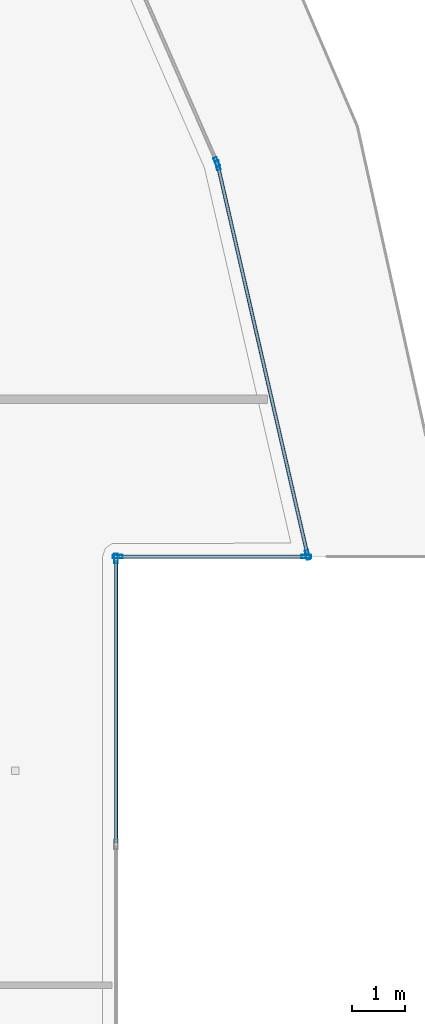
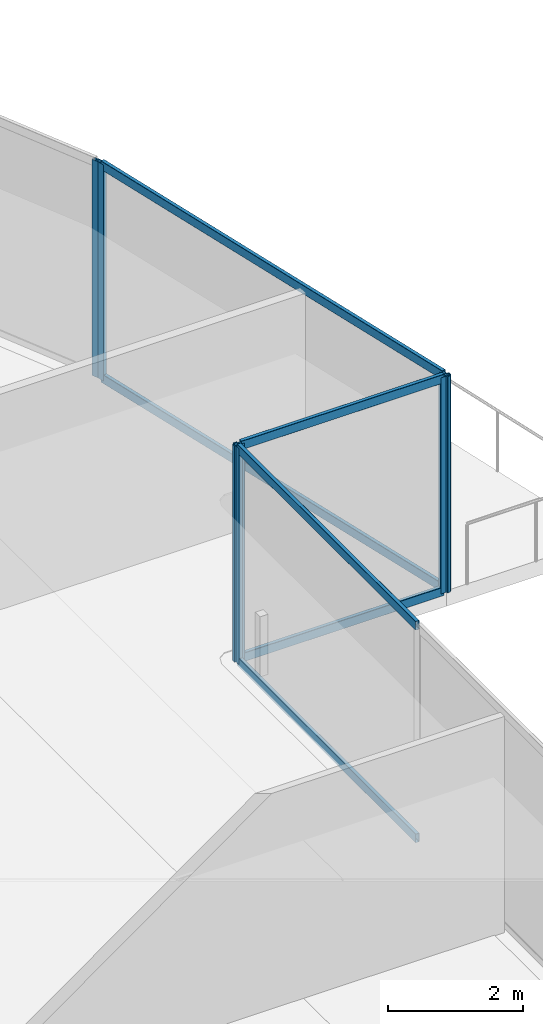
# One storey, part 25 of 42: 12 members, 4 elements without a shape of their own.
"""IFC4 building model written with IfcOpenShell, lengths in metres."""

import ifcopenshell
import ifcopenshell.guid

model = None  # the IFC model being written
_history = None  # IfcOwnerHistory: only IFC2X3 demands one
_inside = {}  # id of a spatial element -> (the spatial element, [elements in it])
_under = {}  # id of a project, library or spatial element -> (it, [spatial elements below it])
_declared = {}  # id of a project -> (the project, [libraries it declares])
_typed = {}  # id of a type object -> (the type object, [elements of that type])
_made_of = {}  # id of a material, layer set ... -> (it, [elements and type objects made of it])


def new_model(schema):
    """Start an empty IFC model of exactly this schema.

    Asked for "IFC4X3", IfcOpenShell would pick the latest addendum, in which some entities
    have other attributes; the version numbers below select the first issue.
    IFC2X3 requires an IfcOwnerHistory on every rooted entity: one is made here for all.
    """
    global model, _history
    if schema == "IFC4X3":
        model = ifcopenshell.file(schema_version=(4, 3, 0, 0))
    else:
        model = ifcopenshell.file(schema=schema)
    _inside.clear()
    _under.clear()
    _declared.clear()
    _typed.clear()
    _made_of.clear()
    _history = None
    if model.schema == "IFC2X3":
        org = make("IfcOrganization", Name="unknown")
        user = make(
            "IfcPersonAndOrganization",
            ThePerson=make("IfcPerson", FamilyName="unknown"),
            TheOrganization=org,
        )
        app = make(
            "IfcApplication",
            ApplicationDeveloper=org,
            Version="unknown",
            ApplicationFullName="unknown",
            ApplicationIdentifier="unknown",
        )
        _history = make(
            "IfcOwnerHistory",
            OwningUser=user,
            OwningApplication=app,
            ChangeAction="ADDED",
            CreationDate=0,
        )
    return model


def make(cls, **values):
    """One entity of the class cls with the attributes given. An attribute that is None is left unset."""
    return model.create_entity(
        cls, **{name: value for name, value in values.items() if value is not None}
    )


def rooted(cls, **values):
    """An entity with a GlobalId (a new one), such as an element, a storey or a relation."""
    return make(cls, GlobalId=ifcopenshell.guid.new(), OwnerHistory=_history, **values)


def si_unit(unit_type, name, prefix=None):
    """IfcSIUnit, for example si_unit("LENGTHUNIT", "METRE", prefix="MILLI")."""
    return make("IfcSIUnit", UnitType=unit_type, Prefix=prefix, Name=name)


def assignment(units):
    """IfcUnitAssignment: the units of a project."""
    return None if units is None else make("IfcUnitAssignment", Units=units)


def point(xyz):
    """IfcCartesianPoint."""
    return None if xyz is None else make("IfcCartesianPoint", Coordinates=xyz)


def direction(xyz):
    """IfcDirection."""
    return None if xyz is None else make("IfcDirection", DirectionRatios=xyz)


def frame(location, z_axis=None, x_axis=None):
    """IfcAxis2Placement3D, a coordinate frame: its origin and axes. An axis left out is left unset."""
    return make(
        "IfcAxis2Placement3D",
        Location=point(location),
        Axis=direction(z_axis),
        RefDirection=direction(x_axis),
    )


def frame_2d(location, x_axis=None):
    """IfcAxis2Placement2D, a coordinate frame in the plane: its origin and x axis."""
    return make(
        "IfcAxis2Placement2D", Location=point(location), RefDirection=direction(x_axis)
    )


def origin():
    """The frame at (0, 0, 0) with its axes left unset."""
    return frame((0.0, 0.0, 0.0))


def origin_2d():
    """The frame at (0, 0) in the plane with its x axis left unset."""
    return frame_2d((0.0, 0.0))


def place(relative_to, where):
    """IfcLocalPlacement: puts the frame where relative to a parent placement (None: the world)."""
    return make(
        "IfcLocalPlacement", PlacementRelTo=relative_to, RelativePlacement=where
    )


def context(
    kind, dimensions, precision=None, world=None, true_north=None, identifier=None
):
    """IfcGeometricRepresentationContext, for example the 3D "Model" context."""
    return make(
        "IfcGeometricRepresentationContext",
        ContextIdentifier=identifier,
        ContextType=kind,
        CoordinateSpaceDimension=dimensions,
        Precision=precision,
        WorldCoordinateSystem=world,
        TrueNorth=true_north,
    )


def subcontext(parent, identifier, kind, view, scale=None):
    """IfcGeometricRepresentationSubContext, for example "Body" below "Model"."""
    return make(
        "IfcGeometricRepresentationSubContext",
        ContextIdentifier=identifier,
        ContextType=kind,
        ParentContext=parent,
        TargetScale=scale,
        TargetView=view,
    )


def project(units=None, contexts=None):
    """IfcProject with its units and contexts."""
    return rooted(
        "IfcProject",
        Name="project",
        RepresentationContexts=contexts,
        UnitsInContext=assignment(units),
    )


def spatial(cls, under=None, at=None, **own):
    """A site, building, storey or space (cls), placed at a placement, below another one or the project."""
    s = rooted(cls, ObjectPlacement=at, **own)
    if under is not None:
        _under.setdefault(under.id(), (under, []))[1].append(s)
    return s


def profile(cls, at=None, kind="AREA", **sizes):
    """A parametric profile (cls). Its sizes go by their IFC names, for example OverallWidth=200.0."""
    return make(cls, ProfileType=kind, Position=at, **sizes)


def hollow_rectangle(**sizes):
    """IfcRectangleHollowProfileDef."""
    return profile("IfcRectangleHollowProfileDef", **sizes)


def extrude(swept, where, along, depth):
    """IfcExtrudedAreaSolid: the profile swept, set in the frame where, extruded along a direction by depth."""
    return make(
        "IfcExtrudedAreaSolid",
        SweptArea=swept,
        Position=where,
        ExtrudedDirection=direction(along),
        Depth=depth,
    )


def shape(context_of_items, identifier, shape_type, items):
    """IfcShapeRepresentation: the items that make up one representation, for example the "Body"."""
    return make(
        "IfcShapeRepresentation",
        ContextOfItems=context_of_items,
        RepresentationIdentifier=identifier,
        RepresentationType=shape_type,
        Items=items,
    )


def material(Name=None, Category=None):
    """IfcMaterial."""
    return make("IfcMaterial", Name=Name, Category=Category)


def layer(
    of_material, thickness, ventilated=None, Name=None, Category=None, Priority=None
):
    """IfcMaterialLayer: one layer of a wall or slab, of a material (None: an air gap)."""
    return make(
        "IfcMaterialLayer",
        Material=of_material,
        LayerThickness=thickness,
        IsVentilated=ventilated,
        Name=Name,
        Category=Category,
        Priority=Priority,
    )


def layer_set(layers, Name=None):
    """IfcMaterialLayerSet."""
    return make("IfcMaterialLayerSet", MaterialLayers=layers, LayerSetName=Name)


def material_profile(
    of_material, cross_section, Name=None, Category=None, Priority=None
):
    """IfcMaterialProfile: a cross section and its material."""
    return make(
        "IfcMaterialProfile",
        Name=Name,
        Material=of_material,
        Profile=cross_section,
        Priority=Priority,
        Category=Category,
    )


def profile_set(profiles, Name=None, composite=None):
    """IfcMaterialProfileSet."""
    return make(
        "IfcMaterialProfileSet",
        Name=Name,
        MaterialProfiles=profiles,
        CompositeProfile=composite,
    )


def made_of(thing, what):
    """Note that an element or type object is made of a material, layer set ...; save() writes the relation."""
    if what is not None:
        _made_of.setdefault(what.id(), (what, []))[1].append(thing)
    return thing


def type_object(cls, material=None, **own):
    """A type object (cls), such as IfcWallType, which elements share."""
    return made_of(rooted(cls, **own), material)


def element(
    cls,
    number,
    at=None,
    inside=None,
    cuts=None,
    type_object=None,
    material=None,
    context=None,
    identifier="Body",
    shape_type=None,
    held_by="IfcProductDefinitionShape",
    body=None,
    shapes=None,
    **own,
):
    """One element of the class cls, such as IfcWall. Its Tag is "e" and its number.

    at: its placement. inside: the storey or other place that contains it. cuts: it is an
    opening in that element (IfcRelVoidsElement). A single representation is given by context,
    identifier, shape_type and body (its items); several are given by shapes. held_by: the class
    of the entity that holds the representations. save() writes the other relations.
    """
    e = rooted(cls, Tag="e%d" % number, ObjectPlacement=at, **own)
    if body is not None:
        shapes = [shape(context, identifier, shape_type, body)]
    if shapes is not None:
        e.Representation = make(held_by, Representations=shapes)
    if inside is not None:
        _inside.setdefault(inside.id(), (inside, []))[1].append(e)
    if cuts is not None:
        rooted(
            "IfcRelVoidsElement", RelatingBuildingElement=cuts, RelatedOpeningElement=e
        )
    if type_object is not None:
        _typed.setdefault(type_object.id(), (type_object, []))[1].append(e)
    return made_of(e, material)


def aggregate(whole, parts):
    """IfcRelAggregates: a whole, such as a stair, and the parts it consists of."""
    return rooted("IfcRelAggregates", RelatingObject=whole, RelatedObjects=parts)


def save(model, path):
    """Write the relations noted so far, then the file.

    IfcRelAggregates (storeys below a building ...), IfcRelContainedInSpatialStructure (elements
    in a storey), IfcRelDefinesByType, IfcRelAssociatesMaterial and IfcRelDeclares: one each for
    every whole, place, type object, material and project.
    """
    for whole, parts in _under.values():
        aggregate(whole, parts)
    for where, things in _inside.values():
        rooted(
            "IfcRelContainedInSpatialStructure",
            RelatedElements=things,
            RelatingStructure=where,
        )
    for kind, things in _typed.values():
        rooted("IfcRelDefinesByType", RelatedObjects=things, RelatingType=kind)
    for what, things in _made_of.values():
        rooted("IfcRelAssociatesMaterial", RelatedObjects=things, RelatingMaterial=what)
    for by, libraries in _declared.values():
        rooted("IfcRelDeclares", RelatingContext=by, RelatedDefinitions=libraries)
    model.write(path)


model = new_model("IFC4")

# Units and contexts
model_context = context("Model", 3, precision=1e-05, world=origin(), true_north=direction((0.0, 1.0)))
body_context = subcontext(model_context, "Body", "Model", "MODEL_VIEW")
ifc_project = project(units=[si_unit("LENGTHUNIT", "METRE"), si_unit("AREAUNIT", "SQUARE_METRE"), si_unit("VOLUMEUNIT", "CUBIC_METRE"), si_unit("PLANEANGLEUNIT", "RADIAN"), si_unit("MASSUNIT", "GRAM", prefix="KILO")], contexts=[model_context])

# Site, building, storey
site_placement = place(None, origin())
site = spatial("IfcSite", under=ifc_project, at=site_placement, CompositionType="ELEMENT")
building_placement = place(site_placement, origin())
building = spatial("IfcBuilding", under=site, at=building_placement, Name="Qorvath Tower", CompositionType="ELEMENT")
storey_placement = place(building_placement, frame((0.0, 0.0, 32.39990234375)))
storey = spatial("IfcBuildingStorey", under=building, at=storey_placement, Name="L06", CompositionType="ELEMENT", Elevation=32.39990234375)

# Curtain wall, member
ifc_material_1 = material(Name="Anodised aluminium and triple low-E glass", Category="aluminium")
ifc_layer = layer(ifc_material_1, 0.179931640625)
ifc_layer_set = layer_set([ifc_layer], Name="CW-SYS-2")
curtain_wall_type = type_object("IfcCurtainWallType", Name="CW-SYS-2", PredefinedType="NOTDEFINED", material=ifc_layer_set)
curtain_wall_1_placement = place(storey_placement, origin())
curtain_wall_1 = element("IfcCurtainWall", 1, at=curtain_wall_1_placement, inside=storey, type_object=curtain_wall_type, Name="Curtain Wall CW-2 CW-T-L06-9.1", PredefinedType="NOTDEFINED")
ifc_material_2 = material(Name="Anodised aluminium 6063-T6", Category="aluminium")
ifc_material_profile_1 = material_profile(ifc_material_2, hollow_rectangle(XDim=0.06494140625, YDim=0.179931640625, WallThickness=0.00341796875, InnerFilletRadius=0.00341796875, OuterFilletRadius=0.007080078125, at=origin_2d()), Name="CWM 180x65")
ifc_profile_set_1 = profile_set([ifc_material_profile_1], Name="Anodised aluminium 6063-T6")
member_type_1 = type_object("IfcMemberType", Name="CWM-180", PredefinedType="MULLION", material=ifc_profile_set_1)
member_1_placement = place(storey_placement, frame((4.0048828125, 5.367431640625, 0.0), z_axis=(0.0, 0.0, 1.0), x_axis=(-1.0, 0.0, 0.0)))
member_1 = element("IfcMember", 2, at=member_1_placement, type_object=member_type_1, Name="CW-2 mullion 3", PredefinedType="MULLION", context=body_context, shape_type="SweptSolid", body=[
    extrude(hollow_rectangle(XDim=0.06494140625, YDim=0.179931640625, WallThickness=0.00341796875, InnerFilletRadius=0.00341796875, OuterFilletRadius=0.007080078125, at=origin_2d()), origin(), (0.0, 0.0, 1.0), 3.920166015625),
])

# Curtain wall, members
curtain_wall_2_placement = place(storey_placement, origin())
curtain_wall_2 = element("IfcCurtainWall", 3, at=curtain_wall_2_placement, inside=storey, type_object=curtain_wall_type, Name="Curtain Wall CW-2 CW-T-L06-10.1", PredefinedType="NOTDEFINED")
member_2_placement = place(storey_placement, frame((4.037353515625, 5.39990234375, 0.0), z_axis=(0.0, 0.0, 1.0), x_axis=(0.0, 1.0, 0.0)))
member_2 = element("IfcMember", 4, at=member_2_placement, type_object=member_type_1, Name="CW-2 mullion 1", PredefinedType="MULLION", context=body_context, shape_type="SweptSolid", body=[
    extrude(hollow_rectangle(XDim=0.06494140625, YDim=0.179931640625, WallThickness=0.00341796875, InnerFilletRadius=0.00341796875, OuterFilletRadius=0.007080078125, at=origin_2d()), origin(), (0.0, 0.0, 1.0), 3.920166015625),
])
member_3_placement = place(storey_placement, frame((7.572265625, 5.39990234375, 0.0), z_axis=(0.0, 0.0, 1.0), x_axis=(0.0, 1.0, 0.0)))
member_3 = element("IfcMember", 5, at=member_3_placement, type_object=member_type_1, Name="CW-2 mullion 2", PredefinedType="MULLION", context=body_context, shape_type="SweptSolid", body=[
    extrude(hollow_rectangle(XDim=0.06494140625, YDim=0.179931640625, WallThickness=0.00341796875, InnerFilletRadius=0.00341796875, OuterFilletRadius=0.007080078125, at=origin_2d()), origin(), (0.0, 0.0, 1.0), 3.920166015625),
])

curtain_wall_3_placement = place(storey_placement, origin())
curtain_wall_3 = element("IfcCurtainWall", 6, at=curtain_wall_3_placement, inside=storey, type_object=curtain_wall_type, Name="Curtain Wall CW-2 CW-T-L06-11.1", PredefinedType="NOTDEFINED")
member_4_placement = place(storey_placement, frame((7.597412109375, 5.431640625, 0.0), z_axis=(0.0, 0.0, 1.0), x_axis=(-0.974480701691, -0.22447129445, 0.0)))
member_4 = element("IfcMember", 7, at=member_4_placement, type_object=member_type_1, Name="CW-2 mullion 1", PredefinedType="MULLION", context=body_context, shape_type="SweptSolid", body=[
    extrude(hollow_rectangle(XDim=0.06494140625, YDim=0.179931640625, WallThickness=0.00341796875, InnerFilletRadius=0.00341796875, OuterFilletRadius=0.007080078125, at=origin_2d()), origin(), (0.0, 0.0, 1.0), 3.920166015625),
])
member_5_placement = place(storey_placement, frame((5.914306640625, 12.73828125, 0.0), z_axis=(0.0, 0.0, 1.0), x_axis=(-0.974480701691, -0.22447129445, 0.0)))
member_5 = element("IfcMember", 8, at=member_5_placement, type_object=member_type_1, Name="CW-2 mullion 2", PredefinedType="MULLION", context=body_context, shape_type="SweptSolid", body=[
    extrude(hollow_rectangle(XDim=0.06494140625, YDim=0.179931640625, WallThickness=0.00341796875, InnerFilletRadius=0.00341796875, OuterFilletRadius=0.007080078125, at=origin_2d()), origin(), (0.0, 0.0, 1.0), 3.920166015625),
])

# Curtain wall, member
curtain_wall_4_placement = place(storey_placement, origin())
curtain_wall_4 = element("IfcCurtainWall", 9, at=curtain_wall_4_placement, inside=storey, type_object=curtain_wall_type, Name="Curtain Wall CW-2 CW-T-L06-12.1", PredefinedType="NOTDEFINED")
member_6_placement = place(storey_placement, frame((5.89404296875, 12.7998046875, 0.0), z_axis=(0.0, 0.0, 1.0), x_axis=(-0.91602619216, -0.401118455419, 0.0)))
member_6 = element("IfcMember", 10, at=member_6_placement, type_object=member_type_1, Name="CW-2 mullion 1", PredefinedType="MULLION", context=body_context, shape_type="SweptSolid", body=[
    extrude(hollow_rectangle(XDim=0.06494140625, YDim=0.179931640625, WallThickness=0.00341796875, InnerFilletRadius=0.00341796875, OuterFilletRadius=0.007080078125, at=origin_2d()), origin(), (0.0, 0.0, 1.0), 3.920166015625),
])
aggregate(curtain_wall_4, [member_6])

# Member
ifc_material_3 = material(Name="Anodised aluminium 6063-T6", Category="aluminium")
ifc_material_profile_2 = material_profile(ifc_material_3, hollow_rectangle(XDim=0.06494140625, YDim=0.159912109375, WallThickness=0.00341796875, InnerFilletRadius=0.00341796875, OuterFilletRadius=0.007080078125, at=origin_2d()), Name="CWT 160x65")
ifc_profile_set_2 = profile_set([ifc_material_profile_2], Name="Anodised aluminium 6063-T6")
member_type_2 = type_object("IfcMemberType", Name="CWT-160", PredefinedType="USERDEFINED", material=ifc_profile_set_2)
member_7_placement = place(storey_placement, frame((4.0048828125, 0.032470703125, 0.032470703125), z_axis=(0.0, 1.0, 0.0), x_axis=(-1.0, 0.0, 0.0)))
member_7 = element("IfcMember", 11, at=member_7_placement, type_object=member_type_2, Name="CW-2 transom 2.1", ObjectType="TRANSOM", PredefinedType="USERDEFINED", context=body_context, shape_type="SweptSolid", body=[
    extrude(hollow_rectangle(XDim=0.06494140625, YDim=0.159912109375, WallThickness=0.00341796875, InnerFilletRadius=0.00341796875, OuterFilletRadius=0.007080078125, at=origin_2d()), origin(), (0.0, 0.0, 1.0), 5.302490234375),
])

member_8_placement = place(storey_placement, frame((4.0048828125, 0.032470703125, 3.8876953125), z_axis=(0.0, 1.0, 0.0), x_axis=(-1.0, 0.0, 0.0)))
member_8 = element("IfcMember", 12, at=member_8_placement, type_object=member_type_2, Name="CW-2 transom 2.2", ObjectType="TRANSOM", PredefinedType="USERDEFINED", context=body_context, shape_type="SweptSolid", body=[
    extrude(hollow_rectangle(XDim=0.06494140625, YDim=0.159912109375, WallThickness=0.00341796875, InnerFilletRadius=0.00341796875, OuterFilletRadius=0.007080078125, at=origin_2d()), origin(), (0.0, 0.0, 1.0), 5.302490234375),
])

aggregate(curtain_wall_1, [member_1, member_7, member_8])

member_9_placement = place(storey_placement, frame((4.06982421875, 5.39990234375, 0.032470703125), z_axis=(1.0, 0.0, 0.0), x_axis=(0.0, 1.0, 0.0)))
member_9 = element("IfcMember", 13, at=member_9_placement, type_object=member_type_2, Name="CW-2 transom 1.1", ObjectType="TRANSOM", PredefinedType="USERDEFINED", context=body_context, shape_type="SweptSolid", body=[
    extrude(hollow_rectangle(XDim=0.06494140625, YDim=0.159912109375, WallThickness=0.00341796875, InnerFilletRadius=0.00341796875, OuterFilletRadius=0.007080078125, at=origin_2d()), origin(), (0.0, 0.0, 1.0), 3.469970703125),
])

member_10_placement = place(storey_placement, frame((4.06982421875, 5.39990234375, 3.8876953125), z_axis=(1.0, 0.0, 0.0), x_axis=(0.0, 1.0, 0.0)))
member_10 = element("IfcMember", 14, at=member_10_placement, type_object=member_type_2, Name="CW-2 transom 1.2", ObjectType="TRANSOM", PredefinedType="USERDEFINED", context=body_context, shape_type="SweptSolid", body=[
    extrude(hollow_rectangle(XDim=0.06494140625, YDim=0.159912109375, WallThickness=0.00341796875, InnerFilletRadius=0.00341796875, OuterFilletRadius=0.007080078125, at=origin_2d()), origin(), (0.0, 0.0, 1.0), 3.469970703125),
])

aggregate(curtain_wall_2, [member_2, member_3, member_9, member_10])

member_11_placement = place(storey_placement, frame((7.590087890625, 5.463134765625, 0.032470703125), z_axis=(-0.22446368576, 0.974482454319, 0.0), x_axis=(-0.974482454319, -0.22446368576, 0.0)))
member_11 = element("IfcMember", 15, at=member_11_placement, type_object=member_type_2, Name="CW-2 transom 1.1", ObjectType="TRANSOM", PredefinedType="USERDEFINED", context=body_context, shape_type="SweptSolid", body=[
    extrude(hollow_rectangle(XDim=0.06494140625, YDim=0.159912109375, WallThickness=0.00341796875, InnerFilletRadius=0.00341796875, OuterFilletRadius=0.007080078125, at=origin_2d()), origin(), (0.0, 0.0, 1.0), 7.43310546875),
])

member_12_placement = place(storey_placement, frame((7.590087890625, 5.463134765625, 3.8876953125), z_axis=(-0.22446368576, 0.974482454319, 0.0), x_axis=(-0.974482454319, -0.22446368576, 0.0)))
member_12 = element("IfcMember", 16, at=member_12_placement, type_object=member_type_2, Name="CW-2 transom 1.2", ObjectType="TRANSOM", PredefinedType="USERDEFINED", context=body_context, shape_type="SweptSolid", body=[
    extrude(hollow_rectangle(XDim=0.06494140625, YDim=0.159912109375, WallThickness=0.00341796875, InnerFilletRadius=0.00341796875, OuterFilletRadius=0.007080078125, at=origin_2d()), origin(), (0.0, 0.0, 1.0), 7.43310546875),
])

aggregate(curtain_wall_3, [member_4, member_5, member_11, member_12])

save(model, "model.ifc")
